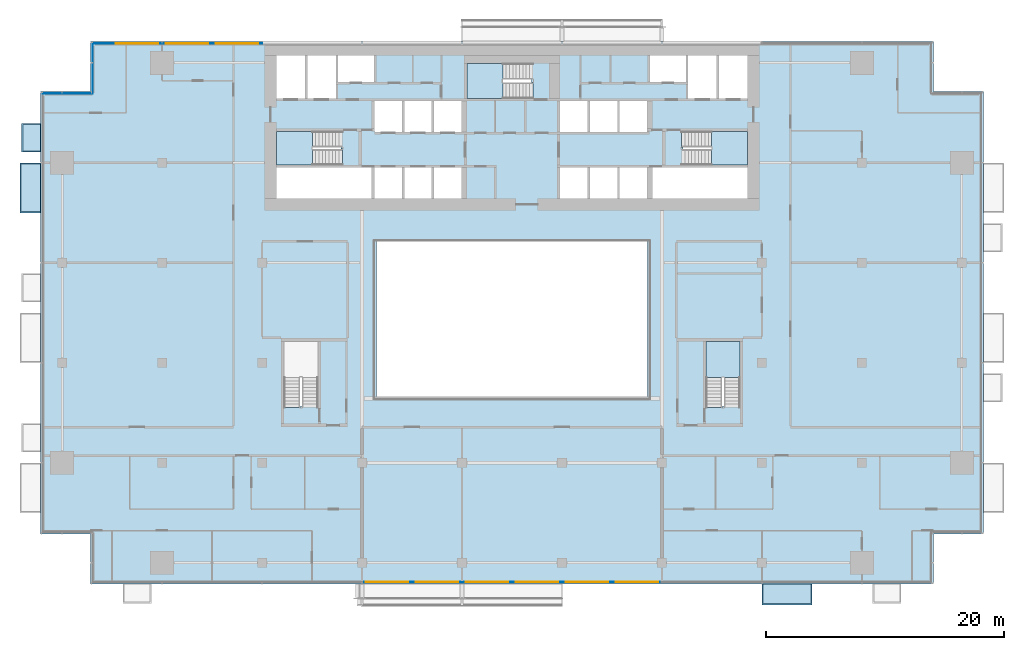
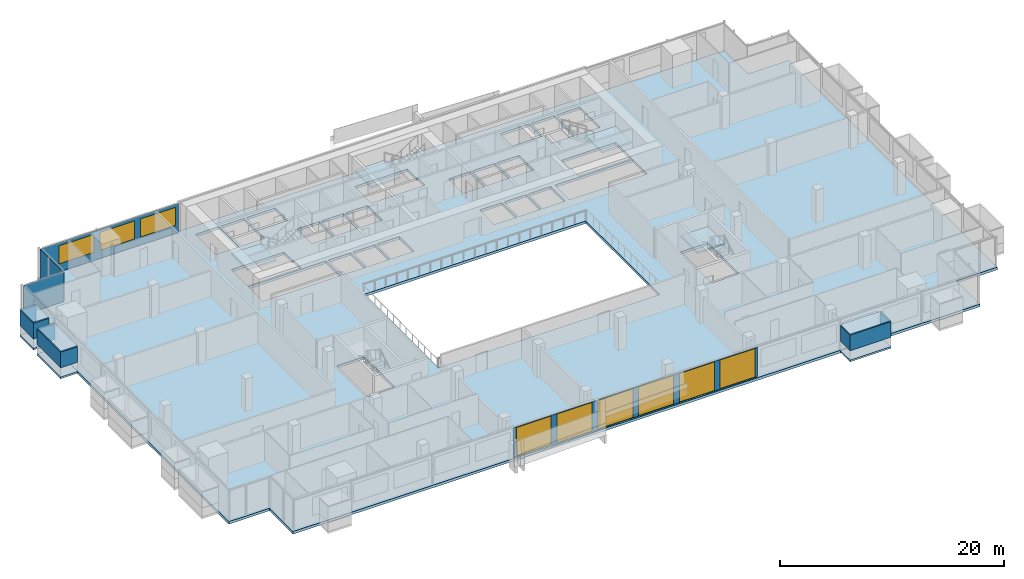
# One storey, part 15 of 26: 10 plates, 9 windows, 8 slabs, 9 openings, 8 elements without a shape of their own.
"""IFC4 building model written with IfcOpenShell, lengths in metres."""

from ifc_helpers import new_model, si_unit, direction, frame, frame_2d, origin, place, context, subcontext, project, spatial, polyline, rectangle, outline, extrude, material, layer, layer_set, type_object, element, fill, aggregate, save


model = new_model("IFC4")

# Units and contexts
model_context = context("Model", 3, precision=1e-05, world=origin(), true_north=direction((0.0, 1.0)))
body_context = subcontext(model_context, "Body", "Model", "MODEL_VIEW")
ifc_project = project(units=[si_unit("LENGTHUNIT", "METRE"), si_unit("AREAUNIT", "SQUARE_METRE"), si_unit("VOLUMEUNIT", "CUBIC_METRE"), si_unit("PLANEANGLEUNIT", "RADIAN"), si_unit("MASSUNIT", "GRAM", prefix="KILO")], contexts=[model_context])

# Site, building, storey
site_placement = place(None, origin())
site = spatial("IfcSite", under=ifc_project, at=site_placement, CompositionType="ELEMENT")
building_placement = place(site_placement, origin())
building = spatial("IfcBuilding", under=site, at=building_placement, Name="Saffron Gate Tower", CompositionType="ELEMENT")
storey_placement = place(building_placement, frame((0.0, 0.0, 98.85009765625)))
storey = spatial("IfcBuildingStorey", under=building, at=storey_placement, Name="L22", CompositionType="ELEMENT", Elevation=98.85009765625)

# Curtain wall, plate, openings, windows
ifc_material_1 = material(Name="Aluminium, bronze anodised", Category="aluminium")
curtain_wall_type_1 = type_object("IfcCurtainWallType", Name="CWS1 curtain wall front facade", PredefinedType="NOTDEFINED", material=ifc_material_1)
curtain_wall_1_placement = place(storey_placement, origin())
curtain_wall_1 = element("IfcCurtainWall", 1, at=curtain_wall_1_placement, inside=storey, type_object=curtain_wall_type_1, Name="CWS1 run 1", PredefinedType="NOTDEFINED")
ifc_material_2 = material(Name="Clear low-iron laminated glass", Category="glass")
ifc_layer_1 = layer(ifc_material_2, 0.028076171875)
ifc_layer_set_1 = layer_set([ifc_layer_1], Name="CWS1 clear glass")
plate_type_1 = type_object("IfcPlateType", Name="CWS1 clear glass", PredefinedType="CURTAIN_PANEL", material=ifc_layer_set_1)
plate_1_placement = place(storey_placement, frame((75.030029296875, 30.174072265625, 0.0), z_axis=(0.0, 0.0, 1.0), x_axis=(1.0, 0.0, 0.0)))
plate_1 = element("IfcPlate", 2, at=plate_1_placement, type_object=plate_type_1, Name="CWS1 clear glass panel", PredefinedType="CURTAIN_PANEL", context=body_context, shape_type="SweptSolid", body=[
    extrude(rectangle(XDim=25.139892578125, YDim=0.028076171875, at=frame_2d((12.56982421875, 0.0))), origin(), (0.0, 0.0, 1.0), 3.199951171875),
])
opening_1_placement = place(plate_1_placement, frame((0.27001953125, 0.0, 0.050048828125)))
opening_1 = element("IfcOpeningElement", 3, at=opening_1_placement, cuts=plate_1, Name="Opening WA", PredefinedType="OPENING", context=body_context, shape_type="SweptSolid", body=[
    extrude(rectangle(XDim=3.60009765625, YDim=3.10009765625, at=frame_2d((1.800048828125, 1.550048828125))), frame((0.0, 0.02392578125, 0.0), z_axis=(0.0, -1.0, 0.0), x_axis=(1.0, 0.0, 0.0)), (0.0, 0.0, 1.0), 0.048095703125),
])
opening_2_placement = place(plate_1_placement, frame((4.469970703125, 0.0, 0.050048828125)))
opening_2 = element("IfcOpeningElement", 4, at=opening_2_placement, cuts=plate_1, Name="Opening WA", PredefinedType="OPENING", context=body_context, shape_type="SweptSolid", body=[
    extrude(rectangle(XDim=3.60009765625, YDim=3.10009765625, at=frame_2d((1.800048828125, 1.550048828125))), frame((0.0, 0.02392578125, 0.0), z_axis=(0.0, -1.0, 0.0), x_axis=(1.0, 0.0, 0.0)), (0.0, 0.0, 1.0), 0.048095703125),
])
opening_3_placement = place(plate_1_placement, frame((8.669921875, 0.0, 0.050048828125)))
opening_3 = element("IfcOpeningElement", 5, at=opening_3_placement, cuts=plate_1, Name="Opening WA", PredefinedType="OPENING", context=body_context, shape_type="SweptSolid", body=[
    extrude(rectangle(XDim=3.60009765625, YDim=3.10009765625, at=frame_2d((1.800048828125, 1.550048828125))), frame((0.0, 0.02392578125, 0.0), z_axis=(0.0, -1.0, 0.0), x_axis=(1.0, 0.0, 0.0)), (0.0, 0.0, 1.0), 0.048095703125),
])
opening_4_placement = place(plate_1_placement, frame((12.8701171875, 0.0, 0.050048828125)))
opening_4 = element("IfcOpeningElement", 6, at=opening_4_placement, cuts=plate_1, Name="Opening WA", PredefinedType="OPENING", context=body_context, shape_type="SweptSolid", body=[
    extrude(rectangle(XDim=3.60009765625, YDim=3.10009765625, at=frame_2d((1.800048828125, 1.550048828125))), frame((0.0, 0.02392578125, 0.0), z_axis=(0.0, -1.0, 0.0), x_axis=(1.0, 0.0, 0.0)), (0.0, 0.0, 1.0), 0.048095703125),
])
opening_5_placement = place(plate_1_placement, frame((17.070068359375, 0.0, 0.050048828125)))
opening_5 = element("IfcOpeningElement", 7, at=opening_5_placement, cuts=plate_1, Name="Opening WA", PredefinedType="OPENING", context=body_context, shape_type="SweptSolid", body=[
    extrude(rectangle(XDim=3.60009765625, YDim=3.10009765625, at=frame_2d((1.800048828125, 1.550048828125))), frame((0.0, 0.02392578125, 0.0), z_axis=(0.0, -1.0, 0.0), x_axis=(1.0, 0.0, 0.0)), (0.0, 0.0, 1.0), 0.048095703125),
])
opening_6_placement = place(plate_1_placement, frame((21.27001953125, 0.0, 0.050048828125)))
opening_6 = element("IfcOpeningElement", 8, at=opening_6_placement, cuts=plate_1, Name="Opening WA", PredefinedType="OPENING", context=body_context, shape_type="SweptSolid", body=[
    extrude(rectangle(XDim=3.60009765625, YDim=3.10009765625, at=frame_2d((1.800048828125, 1.550048828125))), frame((0.0, 0.02392578125, 0.0), z_axis=(0.0, -1.0, 0.0), x_axis=(1.0, 0.0, 0.0)), (0.0, 0.0, 1.0), 0.048095703125),
])
ifc_material_3 = material(Name="Clear low-iron laminated glass in bronze frame", Category="glass")
ifc_layer_2 = layer(ifc_material_3, 0.06005859375)
ifc_layer_set_2 = layer_set([ifc_layer_2], Name="WA operable atrium unit 3600x3100")
window_type_1 = type_object("IfcWindowType", Name="WA operable atrium unit 3600x3100", PartitioningType="DOUBLE_PANEL_HORIZONTAL", PredefinedType="WINDOW", material=ifc_layer_set_2)
window_1_placement = place(opening_1_placement, origin())
window_1 = element("IfcWindow", 9, at=window_1_placement, type_object=window_type_1, Name="WA operable atrium unit", OverallHeight=3.10009765625, OverallWidth=3.60009765625, PartitioningType="SINGLE_PANEL", PredefinedType="WINDOW", context=body_context, shape_type="SweptSolid", body=[
    extrude(rectangle(XDim=3.60009765625, YDim=3.10009765625, at=frame_2d((1.800048828125, 1.550048828125))), frame((0.0, 0.013671875, 0.0), z_axis=(0.0, -1.0, 0.0), x_axis=(1.0, 0.0, 0.0)), (0.0, 0.0, 1.0), 0.027587890625),
])
fill(opening_1, window_1)
window_2_placement = place(opening_2_placement, origin())
window_2 = element("IfcWindow", 10, at=window_2_placement, type_object=window_type_1, Name="WA operable atrium unit", OverallHeight=3.10009765625, OverallWidth=3.60009765625, PartitioningType="SINGLE_PANEL", PredefinedType="WINDOW", context=body_context, shape_type="SweptSolid", body=[
    extrude(rectangle(XDim=3.60009765625, YDim=3.10009765625, at=frame_2d((1.800048828125, 1.550048828125))), frame((0.0, 0.013671875, 0.0), z_axis=(0.0, -1.0, 0.0), x_axis=(1.0, 0.0, 0.0)), (0.0, 0.0, 1.0), 0.027587890625),
])
fill(opening_2, window_2)
window_3_placement = place(opening_3_placement, origin())
window_3 = element("IfcWindow", 11, at=window_3_placement, type_object=window_type_1, Name="WA operable atrium unit", OverallHeight=3.10009765625, OverallWidth=3.60009765625, PartitioningType="SINGLE_PANEL", PredefinedType="WINDOW", context=body_context, shape_type="SweptSolid", body=[
    extrude(rectangle(XDim=3.60009765625, YDim=3.10009765625, at=frame_2d((1.800048828125, 1.550048828125))), frame((0.0, 0.013671875, 0.0), z_axis=(0.0, -1.0, 0.0), x_axis=(1.0, 0.0, 0.0)), (0.0, 0.0, 1.0), 0.027587890625),
])
fill(opening_3, window_3)
window_4_placement = place(opening_4_placement, origin())
window_4 = element("IfcWindow", 12, at=window_4_placement, type_object=window_type_1, Name="WA operable atrium unit", OverallHeight=3.10009765625, OverallWidth=3.60009765625, PartitioningType="SINGLE_PANEL", PredefinedType="WINDOW", context=body_context, shape_type="SweptSolid", body=[
    extrude(rectangle(XDim=3.60009765625, YDim=3.10009765625, at=frame_2d((1.800048828125, 1.550048828125))), frame((0.0, 0.013671875, 0.0), z_axis=(0.0, -1.0, 0.0), x_axis=(1.0, 0.0, 0.0)), (0.0, 0.0, 1.0), 0.027587890625),
])
fill(opening_4, window_4)
window_5_placement = place(opening_5_placement, origin())
window_5 = element("IfcWindow", 13, at=window_5_placement, type_object=window_type_1, Name="WA operable atrium unit", OverallHeight=3.10009765625, OverallWidth=3.60009765625, PartitioningType="SINGLE_PANEL", PredefinedType="WINDOW", context=body_context, shape_type="SweptSolid", body=[
    extrude(rectangle(XDim=3.60009765625, YDim=3.10009765625, at=frame_2d((1.800048828125, 1.550048828125))), frame((0.0, 0.013671875, 0.0), z_axis=(0.0, -1.0, 0.0), x_axis=(1.0, 0.0, 0.0)), (0.0, 0.0, 1.0), 0.027587890625),
])
fill(opening_5, window_5)
window_6_placement = place(opening_6_placement, origin())
window_6 = element("IfcWindow", 14, at=window_6_placement, type_object=window_type_1, Name="WA operable atrium unit", OverallHeight=3.10009765625, OverallWidth=3.60009765625, PartitioningType="SINGLE_PANEL", PredefinedType="WINDOW", context=body_context, shape_type="SweptSolid", body=[
    extrude(rectangle(XDim=3.60009765625, YDim=3.10009765625, at=frame_2d((1.800048828125, 1.550048828125))), frame((0.0, 0.013671875, 0.0), z_axis=(0.0, -1.0, 0.0), x_axis=(1.0, 0.0, 0.0)), (0.0, 0.0, 1.0), 0.027587890625),
])
fill(opening_6, window_6)
aggregate(curtain_wall_1, [plate_1, window_1, window_2, window_3, window_4, window_5, window_6])

curtain_wall_type_2 = type_object("IfcCurtainWallType", Name="CWS3 curtain wall rear facade", PredefinedType="NOTDEFINED", material=ifc_material_1)
curtain_wall_2_placement = place(storey_placement, origin())
curtain_wall_2 = element("IfcCurtainWall", 15, at=curtain_wall_2_placement, inside=storey, type_object=curtain_wall_type_2, Name="CWS3 run 7", PredefinedType="NOTDEFINED")
ifc_material_4 = material(Name="Fritted grey-tinted laminated glass", Category="glass")
ifc_layer_3 = layer(ifc_material_4, 0.028076171875)
ifc_layer_set_3 = layer_set([ifc_layer_3], Name="CWS3 fixed glass")
plate_type_2 = type_object("IfcPlateType", Name="CWS3 fixed glass", PredefinedType="CURTAIN_PANEL", material=ifc_layer_set_3)
plate_2_placement = place(storey_placement, frame((66.635009765625, 75.426025390625, 0.0), z_axis=(0.0, 0.0, 1.0), x_axis=(-1.0, 0.0, 0.0)))
plate_2 = element("IfcPlate", 16, at=plate_2_placement, type_object=plate_type_2, Name="CWS3 glass panel", PredefinedType="CURTAIN_PANEL", context=body_context, shape_type="SweptSolid", body=[
    extrude(rectangle(XDim=14.2470703125, YDim=0.028076171875, at=frame_2d((7.12353515625, 0.0))), origin(), (0.0, 0.0, 1.0), 3.199951171875),
])
opening_7_placement = place(plate_2_placement, frame((0.3349609375, 0.0, 0.89990234375)))
opening_7 = element("IfcOpeningElement", 17, at=opening_7_placement, cuts=plate_2, Name="Opening W1", PredefinedType="OPENING", context=body_context, shape_type="SweptSolid", body=[
    extrude(rectangle(XDim=3.60009765625, YDim=1.949951171875, at=frame_2d((1.800048828125, 0.97509765625))), frame((0.0, 0.02392578125, 0.0), z_axis=(0.0, -1.0, 0.0), x_axis=(1.0, 0.0, 0.0)), (0.0, 0.0, 1.0), 0.048095703125),
])
opening_8_placement = place(plate_2_placement, frame((4.534912109375, 0.0, 0.89990234375)))
opening_8 = element("IfcOpeningElement", 18, at=opening_8_placement, cuts=plate_2, Name="Opening W1", PredefinedType="OPENING", context=body_context, shape_type="SweptSolid", body=[
    extrude(rectangle(XDim=3.60009765625, YDim=1.949951171875, at=frame_2d((1.800048828125, 0.97509765625))), frame((0.0, 0.02392578125, 0.0), z_axis=(0.0, -1.0, 0.0), x_axis=(1.0, 0.0, 0.0)), (0.0, 0.0, 1.0), 0.048095703125),
])
opening_9_placement = place(plate_2_placement, frame((8.735107421875, 0.0, 0.89990234375)))
opening_9 = element("IfcOpeningElement", 19, at=opening_9_placement, cuts=plate_2, Name="Opening W1", PredefinedType="OPENING", context=body_context, shape_type="SweptSolid", body=[
    extrude(rectangle(XDim=3.60009765625, YDim=1.949951171875, at=frame_2d((1.800048828125, 0.97509765625))), frame((0.0, 0.02392578125, 0.0), z_axis=(0.0, -1.0, 0.0), x_axis=(1.0, 0.0, 0.0)), (0.0, 0.0, 1.0), 0.048095703125),
])
ifc_material_5 = material(Name="Fritted bronze-tinted laminated glass in bronze frame", Category="glass")
ifc_layer_4 = layer(ifc_material_5, 0.06005859375)
ifc_layer_set_4 = layer_set([ifc_layer_4], Name="W1 operable panel 3600x1950")
window_type_2 = type_object("IfcWindowType", Name="W1 operable panel 3600x1950", PartitioningType="DOUBLE_PANEL_HORIZONTAL", PredefinedType="WINDOW", material=ifc_layer_set_4)
window_7_placement = place(opening_7_placement, origin())
window_7 = element("IfcWindow", 20, at=window_7_placement, type_object=window_type_2, Name="W1 operable panel", OverallHeight=1.949951171875, OverallWidth=3.60009765625, PartitioningType="SINGLE_PANEL", PredefinedType="WINDOW", context=body_context, shape_type="SweptSolid", body=[
    extrude(rectangle(XDim=3.60009765625, YDim=1.949951171875, at=frame_2d((1.800048828125, 0.97509765625))), frame((0.0, 0.013671875, 0.0), z_axis=(0.0, -1.0, 0.0), x_axis=(1.0, 0.0, 0.0)), (0.0, 0.0, 1.0), 0.027587890625),
])
fill(opening_7, window_7)
window_8_placement = place(opening_8_placement, origin())
window_8 = element("IfcWindow", 21, at=window_8_placement, type_object=window_type_2, Name="W1 operable panel", OverallHeight=1.949951171875, OverallWidth=3.60009765625, PartitioningType="SINGLE_PANEL", PredefinedType="WINDOW", context=body_context, shape_type="SweptSolid", body=[
    extrude(rectangle(XDim=3.60009765625, YDim=1.949951171875, at=frame_2d((1.800048828125, 0.97509765625))), frame((0.0, 0.013671875, 0.0), z_axis=(0.0, -1.0, 0.0), x_axis=(1.0, 0.0, 0.0)), (0.0, 0.0, 1.0), 0.027587890625),
])
fill(opening_8, window_8)
window_9_placement = place(opening_9_placement, origin())
window_9 = element("IfcWindow", 22, at=window_9_placement, type_object=window_type_2, Name="W1 operable panel", OverallHeight=1.949951171875, OverallWidth=3.60009765625, PartitioningType="SINGLE_PANEL", PredefinedType="WINDOW", context=body_context, shape_type="SweptSolid", body=[
    extrude(rectangle(XDim=3.60009765625, YDim=1.949951171875, at=frame_2d((1.800048828125, 0.97509765625))), frame((0.0, 0.013671875, 0.0), z_axis=(0.0, -1.0, 0.0), x_axis=(1.0, 0.0, 0.0)), (0.0, 0.0, 1.0), 0.027587890625),
])
fill(opening_9, window_9)
aggregate(curtain_wall_2, [plate_2, window_7, window_8, window_9])

# Curtain wall, plate
curtain_wall_type_3 = type_object("IfcCurtainWallType", Name="CWS4 curtain wall corner returns", PredefinedType="NOTDEFINED", material=ifc_material_1)
curtain_wall_3_placement = place(storey_placement, origin())
curtain_wall_3 = element("IfcCurtainWall", 23, at=curtain_wall_3_placement, inside=storey, type_object=curtain_wall_type_3, Name="CWS4 run 8", PredefinedType="NOTDEFINED")
ifc_material_6 = material(Name="Fritted bronze-tinted laminated glass", Category="glass")
ifc_layer_5 = layer(ifc_material_6, 0.028076171875)
ifc_layer_set_5 = layer_set([ifc_layer_5], Name="CWS4 fixed glass")
plate_type_3 = type_object("IfcPlateType", Name="CWS4 fixed glass", PredefinedType="CURTAIN_PANEL", material=ifc_layer_set_5)
plate_3_placement = place(storey_placement, frame((52.3740234375, 75.412109375, 0.0), z_axis=(0.0, 0.0, 1.0), x_axis=(0.0, -1.0, 0.0)))
plate_3 = element("IfcPlate", 24, at=plate_3_placement, type_object=plate_type_3, Name="CWS4 glass panel", PredefinedType="CURTAIN_PANEL", context=body_context, shape_type="SweptSolid", body=[
    extrude(rectangle(XDim=4.172119140625, YDim=0.028076171875, at=frame_2d((2.0859375, 0.0))), origin(), (0.0, 0.0, 1.0), 3.199951171875),
])
aggregate(curtain_wall_3, [plate_3])

curtain_wall_4_placement = place(storey_placement, origin())
curtain_wall_4 = element("IfcCurtainWall", 25, at=curtain_wall_4_placement, inside=storey, type_object=curtain_wall_type_3, Name="CWS4 run 9", PredefinedType="NOTDEFINED")
plate_4_placement = place(storey_placement, frame((52.360107421875, 71.22607421875, 0.0), z_axis=(0.0, 0.0, 1.0), x_axis=(-1.0, 0.0, 0.0)))
plate_4 = element("IfcPlate", 26, at=plate_4_placement, type_object=plate_type_3, Name="CWS4 glass panel", PredefinedType="CURTAIN_PANEL", context=body_context, shape_type="SweptSolid", body=[
    extrude(rectangle(XDim=4.172119140625, YDim=0.028076171875, at=frame_2d((2.0859375, 0.0))), origin(), (0.0, 0.0, 1.0), 3.199951171875),
])
aggregate(curtain_wall_4, [plate_4])

# Slab
ifc_material_7 = material(Name="Concrete C40", Category="concrete")
ifc_layer_6 = layer(ifc_material_7, 0.280029296875)
ifc_layer_set_6 = layer_set([ifc_layer_6], Name="S2 FLOOR SLAB 280 CONCRETE C40")
slab_type_1 = type_object("IfcSlabType", Name="S2 FLOOR SLAB 280 CONCRETE C40", PredefinedType="FLOOR", material=ifc_layer_set_6)
slab_1_placement = place(storey_placement, frame((0.0, 0.0, -0.280029296875)))
element("IfcSlab", 27, at=slab_1_placement, inside=storey, type_object=slab_type_1, Name="S2 FLOOR SLAB", PredefinedType="FLOOR", context=body_context, shape_type="SweptSolid", body=[
    extrude(outline(polyline([(48.0, 34.199951171875), (52.199951171875, 34.199951171875), (52.199951171875, 30.0), (123.0, 30.0), (123.0, 34.199951171875), (127.199951171875, 34.199951171875), (127.199951171875, 71.39990234375), (123.0, 71.39990234375), (123.0, 75.60009765625), (52.199951171875, 75.60009765625), (52.199951171875, 71.39990234375), (48.0, 71.39990234375), (48.0, 34.199951171875)]), holes=[polyline([(67.800048828125, 62.39990234375), (67.800048828125, 65.0), (75.800048828125, 65.0), (75.800048828125, 62.39990234375), (67.800048828125, 62.39990234375)]), polyline([(67.800048828125, 65.199951171875), (67.800048828125, 68.050048828125), (73.25, 68.050048828125), (73.25, 66.550048828125), (73.34912109375, 66.550048828125), (73.34912109375, 65.199951171875), (67.800048828125, 65.199951171875)]), polyline([(67.800048828125, 70.800048828125), (67.800048828125, 74.39990234375), (70.199951171875, 74.39990234375), (70.199951171875, 70.800048828125), (67.800048828125, 70.800048828125)]), polyline([(68.449951171875, 44.85107421875), (68.449951171875, 50.39990234375), (71.300048828125, 50.39990234375), (71.300048828125, 44.949951171875), (69.800048828125, 44.949951171875), (69.800048828125, 44.85107421875), (68.449951171875, 44.85107421875)]), polyline([(70.39990234375, 70.800048828125), (70.39990234375, 74.39990234375), (72.800048828125, 74.39990234375), (72.800048828125, 70.800048828125), (70.39990234375, 70.800048828125)]), polyline([(73.0, 72.199951171875), (73.0, 74.39990234375), (76.0, 74.39990234375), (76.0, 72.199951171875), (73.0, 72.199951171875)]), polyline([(76.050048828125, 62.39990234375), (76.050048828125, 65.0), (78.35009765625, 65.0), (78.35009765625, 62.39990234375), (76.050048828125, 62.39990234375)]), polyline([(76.050048828125, 68.0), (76.050048828125, 70.60009765625), (78.35009765625, 70.60009765625), (78.35009765625, 68.0), (76.050048828125, 68.0)]), polyline([(76.199951171875, 45.60009765625), (76.199951171875, 58.800048828125), (99.0, 58.800048828125), (99.0, 45.60009765625), (76.199951171875, 45.60009765625)]), polyline([(78.550048828125, 62.39990234375), (78.550048828125, 65.0), (80.85009765625, 65.0), (80.85009765625, 62.39990234375), (78.550048828125, 62.39990234375)]), polyline([(78.550048828125, 68.0), (78.550048828125, 70.60009765625), (80.85009765625, 70.60009765625), (80.85009765625, 68.0), (78.550048828125, 68.0)]), polyline([(81.050048828125, 62.39990234375), (81.050048828125, 65.0), (83.35009765625, 65.0), (83.35009765625, 62.39990234375), (81.050048828125, 62.39990234375)]), polyline([(81.050048828125, 68.0), (81.050048828125, 70.60009765625), (83.35009765625, 70.60009765625), (83.35009765625, 68.0), (81.050048828125, 68.0)]), polyline([(83.800048828125, 70.800048828125), (83.800048828125, 73.75), (89.25, 73.75), (89.25, 72.14990234375), (89.34912109375, 72.14990234375), (89.34912109375, 70.800048828125), (83.800048828125, 70.800048828125)]), polyline([(91.64990234375, 62.39990234375), (91.64990234375, 65.0), (93.949951171875, 65.0), (93.949951171875, 62.39990234375), (91.64990234375, 62.39990234375)]), polyline([(91.64990234375, 68.0), (91.64990234375, 70.60009765625), (93.949951171875, 70.60009765625), (93.949951171875, 68.0), (91.64990234375, 68.0)]), polyline([(94.14990234375, 62.39990234375), (94.14990234375, 65.0), (96.449951171875, 65.0), (96.449951171875, 62.39990234375), (94.14990234375, 62.39990234375)]), polyline([(94.14990234375, 68.0), (94.14990234375, 70.60009765625), (96.449951171875, 70.60009765625), (96.449951171875, 68.0), (94.14990234375, 68.0)]), polyline([(96.64990234375, 62.39990234375), (96.64990234375, 65.0), (98.949951171875, 65.0), (98.949951171875, 62.39990234375), (96.64990234375, 62.39990234375)]), polyline([(96.64990234375, 68.0), (96.64990234375, 70.60009765625), (98.949951171875, 70.60009765625), (98.949951171875, 68.0), (96.64990234375, 68.0)]), polyline([(99.199951171875, 72.199951171875), (99.199951171875, 74.39990234375), (102.199951171875, 74.39990234375), (102.199951171875, 72.199951171875), (99.199951171875, 72.199951171875)]), polyline([(99.39990234375, 62.39990234375), (99.39990234375, 65.0), (107.39990234375, 65.0), (107.39990234375, 62.39990234375), (99.39990234375, 62.39990234375)]), polyline([(101.85107421875, 66.699951171875), (101.85107421875, 68.050048828125), (107.39990234375, 68.050048828125), (107.39990234375, 65.199951171875), (101.949951171875, 65.199951171875), (101.949951171875, 66.699951171875), (101.85107421875, 66.699951171875)]), polyline([(102.39990234375, 70.800048828125), (102.39990234375, 74.39990234375), (104.800048828125, 74.39990234375), (104.800048828125, 70.800048828125), (102.39990234375, 70.800048828125)]), polyline([(103.89990234375, 44.85107421875), (103.89990234375, 50.39990234375), (106.75, 50.39990234375), (106.75, 44.949951171875), (105.25, 44.949951171875), (105.25, 44.85107421875), (103.89990234375, 44.85107421875)]), polyline([(105.0, 70.800048828125), (105.0, 74.39990234375), (107.39990234375, 74.39990234375), (107.39990234375, 70.800048828125), (105.0, 70.800048828125)])]), origin(), (0.0, 0.0, 1.0), 0.280029296875),
])

# Stair, slab
stair_type = type_object("IfcStairType", Name="ST7 Stair 1350 wide, 20 risers of 180", PredefinedType="HALF_TURN_STAIR", material=ifc_material_7)
stair_1_placement = place(storey_placement, origin())
stair_1 = element("IfcStair", 28, at=stair_1_placement, inside=storey, type_object=stair_type, Name="L22 Exit stair A", PredefinedType="HALF_TURN_STAIR")
ifc_layer_7 = layer(ifc_material_7, 0.199951171875)
ifc_layer_set_7 = layer_set([ifc_layer_7], Name="SL1 Stair landing 200")
slab_type_2 = type_object("IfcSlabType", Name="SL1 Stair landing 200", PredefinedType="LANDING", material=ifc_layer_set_7)
slab_2_placement = place(storey_placement, frame((0.0, 0.0, 1.599853515625)))
slab_2 = element("IfcSlab", 29, at=slab_2_placement, type_object=slab_type_2, Name="ST-A landing 1", PredefinedType="LANDING", context=body_context, shape_type="SweptSolid", body=[
    extrude(outline(polyline([(70.830078125, 68.050048828125), (67.800048828125, 68.050048828125), (67.800048828125, 65.199951171875), (70.830078125, 65.199951171875), (70.830078125, 68.050048828125)])), origin(), (0.0, 0.0, 1.0), 0.199951171875),
])
aggregate(stair_1, [slab_2])

stair_2_placement = place(storey_placement, origin())
stair_2 = element("IfcStair", 30, at=stair_2_placement, inside=storey, type_object=stair_type, Name="L22 Exit stair B", PredefinedType="HALF_TURN_STAIR")
slab_3_placement = place(storey_placement, frame((0.0, 0.0, 1.599853515625)))
slab_3 = element("IfcSlab", 31, at=slab_3_placement, type_object=slab_type_2, Name="ST-B landing 1", PredefinedType="LANDING", context=body_context, shape_type="SweptSolid", body=[
    extrude(outline(polyline([(104.3701171875, 65.199951171875), (107.39990234375, 65.199951171875), (107.39990234375, 68.050048828125), (104.3701171875, 68.050048828125), (104.3701171875, 65.199951171875)])), origin(), (0.0, 0.0, 1.0), 0.199951171875),
])
aggregate(stair_2, [slab_3])

stair_3_placement = place(storey_placement, origin())
stair_3 = element("IfcStair", 32, at=stair_3_placement, inside=storey, type_object=stair_type, Name="L22 Exit stair C", PredefinedType="HALF_TURN_STAIR")
slab_4_placement = place(storey_placement, frame((0.0, 0.0, 1.599853515625)))
slab_4 = element("IfcSlab", 33, at=slab_4_placement, type_object=slab_type_2, Name="ST-C landing 1", PredefinedType="LANDING", context=body_context, shape_type="SweptSolid", body=[
    extrude(outline(polyline([(86.830078125, 73.75), (83.800048828125, 73.75), (83.800048828125, 70.800048828125), (86.830078125, 70.800048828125), (86.830078125, 73.75)])), origin(), (0.0, 0.0, 1.0), 0.199951171875),
])
aggregate(stair_3, [slab_4])

stair_4_placement = place(storey_placement, origin())
stair_4 = element("IfcStair", 34, at=stair_4_placement, inside=storey, type_object=stair_type, Name="L22 Exit stair E", PredefinedType="HALF_TURN_STAIR")
slab_5_placement = place(storey_placement, frame((0.0, 0.0, 1.599853515625)))
slab_5 = element("IfcSlab", 35, at=slab_5_placement, type_object=slab_type_2, Name="ST-E landing 1", PredefinedType="LANDING", context=body_context, shape_type="SweptSolid", body=[
    extrude(outline(polyline([(106.75, 47.3701171875), (106.75, 50.39990234375), (103.89990234375, 50.39990234375), (103.89990234375, 47.3701171875), (106.75, 47.3701171875)])), origin(), (0.0, 0.0, 1.0), 0.199951171875),
])
aggregate(stair_4, [slab_5])

# Slabs
ifc_material_8 = material(Name="Timber deck on bronze frame", Category="wood")
ifc_layer_8 = layer(ifc_material_8, 0.199951171875)
ifc_layer_set_8 = layer_set([ifc_layer_8], Name="WB1 box floor")
slab_type_3 = type_object("IfcSlabType", Name="WB1 box floor", PredefinedType="FLOOR", material=ifc_layer_set_8)
slab_6_placement = place(storey_placement, frame((0.0, 0.0, -0.2001953125)))
element("IfcSlab", 36, at=slab_6_placement, inside=storey, type_object=slab_type_3, Name="WINDOW BOX floor", PredefinedType="FLOOR", context=body_context, shape_type="SweptSolid", body=[
    extrude(outline(polyline([(108.60009765625, 30.0), (112.800048828125, 30.0), (112.800048828125, 28.26708984375), (108.60009765625, 28.26708984375), (108.60009765625, 30.0)])), origin(), (0.0, 0.0, 1.0), 0.2001953125),
])
slab_7_placement = place(storey_placement, frame((0.0, 0.0, -0.2001953125)))
element("IfcSlab", 37, at=slab_7_placement, inside=storey, type_object=slab_type_3, Name="WINDOW BOX floor", PredefinedType="FLOOR", context=body_context, shape_type="SweptSolid", body=[
    extrude(outline(polyline([(48.0, 68.699951171875), (48.0, 66.300048828125), (46.39990234375, 66.300048828125), (46.39990234375, 68.699951171875), (48.0, 68.699951171875)])), origin(), (0.0, 0.0, 1.0), 0.2001953125),
])
slab_8_placement = place(storey_placement, frame((0.0, 0.0, -0.2001953125)))
element("IfcSlab", 38, at=slab_8_placement, inside=storey, type_object=slab_type_3, Name="WINDOW BOX floor", PredefinedType="FLOOR", context=body_context, shape_type="SweptSolid", body=[
    extrude(outline(polyline([(48.0, 65.39990234375), (48.0, 61.199951171875), (46.26708984375, 61.199951171875), (46.26708984375, 65.39990234375), (48.0, 65.39990234375)])), origin(), (0.0, 0.0, 1.0), 0.2001953125),
])

# Plates
ifc_layer_9 = layer(ifc_material_1, 0.1201171875)
ifc_layer_set_9 = layer_set([ifc_layer_9], Name="WB2 box roof")
plate_type_4 = type_object("IfcPlateType", Name="WB2 box roof", PredefinedType="SHEET", material=ifc_layer_set_9)
plate_5_placement = place(storey_placement, frame((0.0, 0.0, 2.699951171875)))
element("IfcPlate", 39, at=plate_5_placement, inside=storey, type_object=plate_type_4, Name="WINDOW BOX roof", PredefinedType="SHEET", context=body_context, shape_type="SweptSolid", body=[
    extrude(outline(polyline([(108.60009765625, 30.0), (112.800048828125, 30.0), (112.800048828125, 28.26708984375), (108.60009765625, 28.26708984375), (108.60009765625, 30.0)])), origin(), (0.0, 0.0, 1.0), 0.119873046875),
])
plate_6_placement = place(storey_placement, frame((0.0, 0.0, 2.699951171875)))
element("IfcPlate", 40, at=plate_6_placement, inside=storey, type_object=plate_type_4, Name="WINDOW BOX roof", PredefinedType="SHEET", context=body_context, shape_type="SweptSolid", body=[
    extrude(outline(polyline([(48.0, 68.699951171875), (48.0, 66.300048828125), (46.39990234375, 66.300048828125), (46.39990234375, 68.699951171875), (48.0, 68.699951171875)])), origin(), (0.0, 0.0, 1.0), 0.119873046875),
])
plate_7_placement = place(storey_placement, frame((0.0, 0.0, 2.699951171875)))
element("IfcPlate", 41, at=plate_7_placement, inside=storey, type_object=plate_type_4, Name="WINDOW BOX roof", PredefinedType="SHEET", context=body_context, shape_type="SweptSolid", body=[
    extrude(outline(polyline([(48.0, 65.39990234375), (48.0, 61.199951171875), (46.26708984375, 61.199951171875), (46.26708984375, 65.39990234375), (48.0, 65.39990234375)])), origin(), (0.0, 0.0, 1.0), 0.119873046875),
])
ifc_layer_10 = layer(ifc_material_2, 0.10009765625)
ifc_layer_set_10 = layer_set([ifc_layer_10], Name="WB6 box glazing")
plate_type_5 = type_object("IfcPlateType", Name="WB6 box glazing", PredefinedType="SHEET", material=ifc_layer_set_10)
plate_8_placement = place(storey_placement, frame((0.0, 0.0, 1.0)))
element("IfcPlate", 42, at=plate_8_placement, inside=storey, type_object=plate_type_5, Name="WINDOW BOX glazing", PredefinedType="SHEET", context=body_context, shape_type="SweptSolid", body=[
    extrude(outline(polyline([(108.60009765625, 30.0), (108.699951171875, 30.0), (108.699951171875, 28.366943359375), (112.699951171875, 28.366943359375), (112.699951171875, 30.0), (112.800048828125, 30.0), (112.800048828125, 28.26708984375), (108.60009765625, 28.26708984375), (108.60009765625, 30.0)])), origin(), (0.0, 0.0, 1.0), 1.699951171875),
])
plate_9_placement = place(storey_placement, frame((0.0, 0.0, 1.0)))
element("IfcPlate", 43, at=plate_9_placement, inside=storey, type_object=plate_type_5, Name="WINDOW BOX glazing", PredefinedType="SHEET", context=body_context, shape_type="SweptSolid", body=[
    extrude(outline(polyline([(48.0, 68.699951171875), (48.0, 68.60009765625), (46.5, 68.60009765625), (46.5, 66.39990234375), (48.0, 66.39990234375), (48.0, 66.300048828125), (46.39990234375, 66.300048828125), (46.39990234375, 68.699951171875), (48.0, 68.699951171875)])), origin(), (0.0, 0.0, 1.0), 1.699951171875),
])
plate_10_placement = place(storey_placement, frame((0.0, 0.0, 1.0)))
element("IfcPlate", 44, at=plate_10_placement, inside=storey, type_object=plate_type_5, Name="WINDOW BOX glazing", PredefinedType="SHEET", context=body_context, shape_type="SweptSolid", body=[
    extrude(outline(polyline([(48.0, 65.39990234375), (48.0, 65.300048828125), (46.366943359375, 65.300048828125), (46.366943359375, 61.300048828125), (48.0, 61.300048828125), (48.0, 61.199951171875), (46.26708984375, 61.199951171875), (46.26708984375, 65.39990234375), (48.0, 65.39990234375)])), origin(), (0.0, 0.0, 1.0), 1.699951171875),
])

save(model, "model.ifc")
